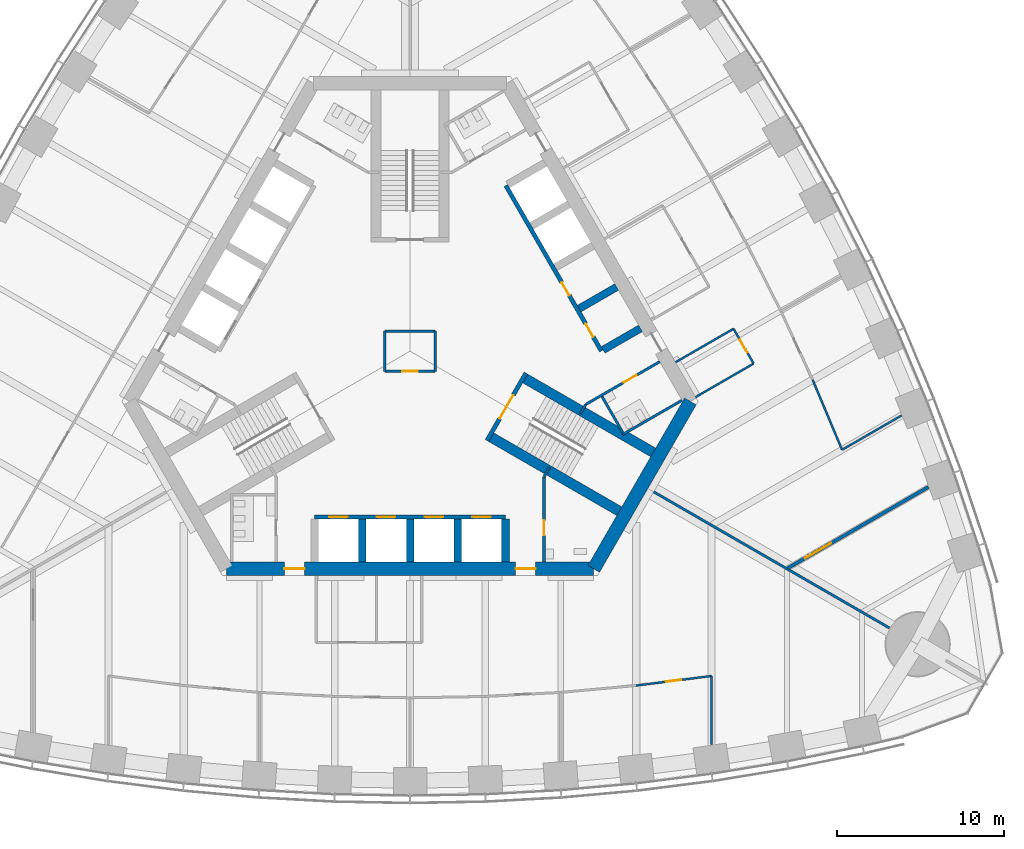
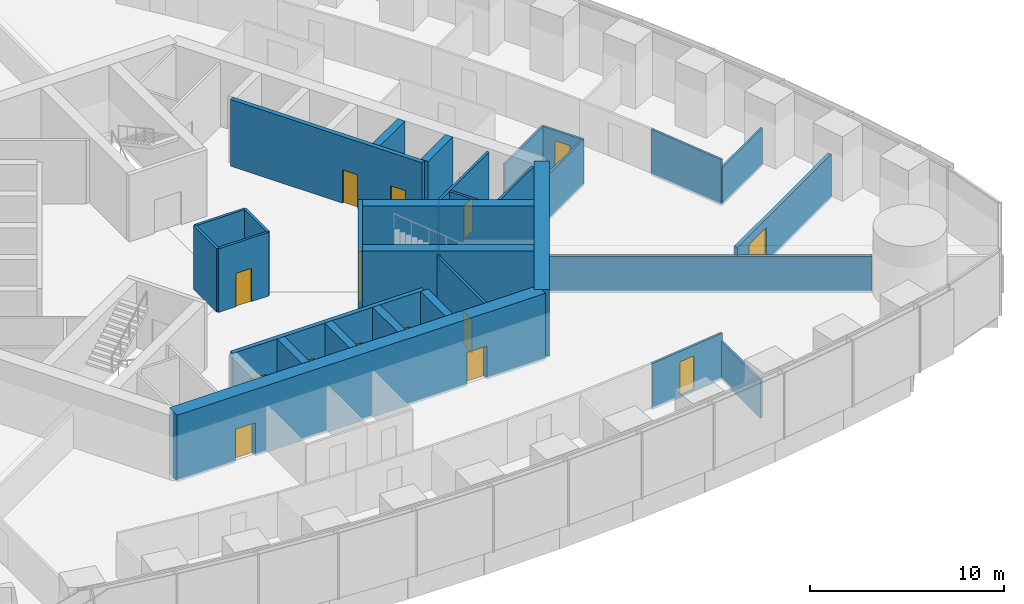
# One storey, part 11 of 18: 32 walls, 15 doors, 15 openings.
"""IFC4 building model written with IfcOpenShell, lengths in metres."""

from ifc_helpers import new_model, si_unit, direction, frame, frame_2d, origin, place, context, subcontext, project, spatial, rectangle, extrude, material, layer, layer_set, type_object, element, fill, save


model = new_model("IFC4")

# Units and contexts
model_context = context("Model", 3, precision=1e-05, world=origin(), true_north=direction((0.0, 1.0)))
body_context = subcontext(model_context, "Body", "Model", "MODEL_VIEW")
ifc_project = project(units=[si_unit("LENGTHUNIT", "METRE"), si_unit("AREAUNIT", "SQUARE_METRE"), si_unit("VOLUMEUNIT", "CUBIC_METRE"), si_unit("PLANEANGLEUNIT", "RADIAN"), si_unit("MASSUNIT", "GRAM", prefix="KILO")], contexts=[model_context])

# Site, building, storey
site_placement = place(None, origin())
site = spatial("IfcSite", under=ifc_project, at=site_placement, CompositionType="ELEMENT")
building_placement = place(site_placement, origin())
building = spatial("IfcBuilding", under=site, at=building_placement, Name="Trefoil Bronze Tower", CompositionType="ELEMENT")
storey_placement = place(building_placement, frame((0.0, 0.0, 170.300048828125)))
storey = spatial("IfcBuildingStorey", under=building, at=storey_placement, Name="L39", CompositionType="ELEMENT", Elevation=170.300048828125)

# Wall, opening, door
ifc_material_1 = material(Name="Gypsum board on steel studs", Category="steel")
ifc_layer_1 = layer(ifc_material_1, 0.199951171875)
ifc_layer_set_1 = layer_set([ifc_layer_1], Name="Acoustic partition 200")
wall_type_1 = type_object("IfcWallType", Name="Acoustic partition 200", PredefinedType="PARTITIONING", material=ifc_layer_set_1)
wall_1_placement = place(storey_placement, frame((22.552978515625, -12.959716796875, 0.0), z_axis=(0.0, 0.0, 1.0), x_axis=(0.866028367999, 0.499994865794, 0.0)))
wall_1 = element("IfcWall", 1, at=wall_1_placement, inside=storey, type_object=wall_type_1, Name="Partition F2 L39", PredefinedType="PARTITIONING", context=body_context, shape_type="SweptSolid", body=[
    extrude(rectangle(XDim=9.697265625, YDim=0.199951171875, at=frame_2d((4.8486328125, 0.0))), origin(), (0.0, 0.0, 1.0), 2.800048828125),
])
opening_1_placement = place(wall_1_placement, frame((1.199951171875, 0.0, 0.14990234375)))
opening_1 = element("IfcOpeningElement", 2, at=opening_1_placement, cuts=wall_1, Name="Opening D10", PredefinedType="OPENING", context=body_context, shape_type="SweptSolid", body=[
    extrude(rectangle(XDim=1.800048828125, YDim=2.10009765625, at=frame_2d((0.89990234375, 1.050048828125))), frame((0.0, 0.10986328125, 0.0), z_axis=(0.0, -1.0, 0.0), x_axis=(1.0, 0.0, 0.0)), (0.0, 0.0, 1.0), 0.219970703125),
])
ifc_material_2 = material(Name="Timber door", Category="wood")
door_type_1 = type_object("IfcDoorType", Name="Double door 1800", OperationType="DOUBLE_DOOR_SINGLE_SWING", PredefinedType="DOOR", material=ifc_material_2)
door_1_placement = place(opening_1_placement, frame((1.800048828125, 0.0, 0.0), z_axis=(0.0, 0.0, 1.0), x_axis=(-1.0, 0.0, 0.0)))
door_1 = element("IfcDoor", 3, at=door_1_placement, inside=storey, type_object=door_type_1, Name="Boardroom door F2 L39", OperationType="DOUBLE_DOOR_SINGLE_SWING", OverallHeight=2.10009765625, OverallWidth=1.800048828125, PredefinedType="DOOR", context=body_context, shape_type="SweptSolid", body=[
    extrude(rectangle(XDim=1.800048828125, YDim=2.10009765625, at=frame_2d((0.89990234375, 1.050048828125))), frame((0.0, 0.02490234375, 0.0), z_axis=(0.0, -1.0, 0.0), x_axis=(1.0, 0.0, 0.0)), (0.0, 0.0, 1.0), 0.050048828125),
])
fill(opening_1, door_1)

# Wall, openings, doors
ifc_material_3 = material(Name="Concrete B80", Category="concrete")
ifc_layer_2 = layer(ifc_material_3, 0.800048828125)
ifc_layer_set_2 = layer_set([ifc_layer_2], Name="Core wall 800")
wall_type_2 = type_object("IfcWallType", Name="Core wall 800", PredefinedType="SHEAR", material=ifc_layer_set_2)
wall_2_placement = place(storey_placement, frame((-10.9697265625, -13.0, 0.0), z_axis=(0.0, 0.0, 1.0), x_axis=(1.0, 0.0, 0.0)))
wall_2 = element("IfcWall", 4, at=wall_2_placement, inside=storey, type_object=wall_type_2, Name="Core long wall 1 L39", PredefinedType="SHEAR", context=body_context, shape_type="SweptSolid", body=[
    extrude(rectangle(XDim=21.939453125, YDim=0.800048828125, at=frame_2d((10.9697265625, 0.0))), origin(), (0.0, 0.0, 1.0), 4.199951171875),
])
opening_2_placement = place(wall_2_placement, frame((17.269775390625, 0.0, 0.0)))
opening_2 = element("IfcOpeningElement", 5, at=opening_2_placement, cuts=wall_2, Name="Opening D2", PredefinedType="OPENING", context=body_context, shape_type="SweptSolid", body=[
    extrude(rectangle(XDim=1.199951171875, YDim=2.10009765625, at=frame_2d((0.60009765625, 1.050048828125))), frame((0.0, 0.409912109375, 0.0), z_axis=(0.0, -1.0, 0.0), x_axis=(1.0, 0.0, 0.0)), (0.0, 0.0, 1.0), 0.820068359375),
])
opening_3_placement = place(wall_2_placement, frame((3.4697265625, 0.0, 0.0)))
opening_3 = element("IfcOpeningElement", 6, at=opening_3_placement, cuts=wall_2, Name="Opening D2", PredefinedType="OPENING", context=body_context, shape_type="SweptSolid", body=[
    extrude(rectangle(XDim=1.199951171875, YDim=2.10009765625, at=frame_2d((0.60009765625, 1.050048828125))), frame((0.0, 0.409912109375, 0.0), z_axis=(0.0, -1.0, 0.0), x_axis=(1.0, 0.0, 0.0)), (0.0, 0.0, 1.0), 0.820068359375),
])
ifc_material_4 = material(Name="Steel door", Category="steel")
door_type_2 = type_object("IfcDoorType", Name="Lobby door 1200", OperationType="SINGLE_SWING_RIGHT", PredefinedType="DOOR", material=ifc_material_4)
door_2_placement = place(opening_2_placement, origin())
door_2 = element("IfcDoor", 7, at=door_2_placement, inside=storey, type_object=door_type_2, Name="Lobby door F1+ L39", OperationType="SINGLE_SWING_RIGHT", OverallHeight=2.10009765625, OverallWidth=1.199951171875, PredefinedType="DOOR", context=body_context, shape_type="SweptSolid", body=[
    extrude(rectangle(XDim=1.199951171875, YDim=2.10009765625, at=frame_2d((0.60009765625, 1.050048828125))), frame((0.0, 0.02490234375, 0.0), z_axis=(0.0, -1.0, 0.0), x_axis=(1.0, 0.0, 0.0)), (0.0, 0.0, 1.0), 0.050048828125),
])
fill(opening_2, door_2)
door_3_placement = place(opening_3_placement, origin())
door_3 = element("IfcDoor", 8, at=door_3_placement, inside=storey, type_object=door_type_2, Name="Lobby door F1- L39", OperationType="SINGLE_SWING_LEFT", OverallHeight=2.10009765625, OverallWidth=1.199951171875, PredefinedType="DOOR", context=body_context, shape_type="SweptSolid", body=[
    extrude(rectangle(XDim=1.199951171875, YDim=2.10009765625, at=frame_2d((0.60009765625, 1.050048828125))), frame((0.0, 0.02490234375, 0.0), z_axis=(0.0, -1.0, 0.0), x_axis=(1.0, 0.0, 0.0)), (0.0, 0.0, 1.0), 0.050048828125),
])
fill(opening_3, door_3)

# Wall
wall_3_placement = place(storey_placement, frame((10.9697265625, -13.0, 0.0), z_axis=(0.0, 0.0, 1.0), x_axis=(0.499995765644, 0.866027848477, 0.0)))
element("IfcWall", 9, at=wall_3_placement, inside=storey, type_object=wall_type_2, Name="Core short wall 1 L39", PredefinedType="SHEAR", context=body_context, shape_type="SweptSolid", body=[
    extrude(rectangle(XDim=11.546875, YDim=0.800048828125, at=frame_2d((5.7734375, 0.0))), origin(), (0.0, 0.0, 1.0), 4.199951171875),
])

# Wall, opening, door
ifc_material_5 = material(Name="Glazed partition", Category="glass")
ifc_layer_3 = layer(ifc_material_5, 0.1201171875)
ifc_layer_set_3 = layer_set([ifc_layer_3], Name="Glazed partition 120")
wall_type_3 = type_object("IfcWallType", Name="Glazed partition 120", PredefinedType="PARTITIONING", material=ifc_layer_set_3)
wall_4_placement = place(storey_placement, frame((13.5, -19.9677734375, 0.0), z_axis=(0.0, 0.0, 1.0), x_axis=(0.992010652594, 0.12615413247, 0.0)))
wall_4 = element("IfcWall", 10, at=wall_4_placement, inside=storey, type_object=wall_type_3, Name="Partition F1 L39", PredefinedType="PARTITIONING", context=body_context, shape_type="SweptSolid", body=[
    extrude(rectangle(XDim=4.5361328125, YDim=0.1201171875, at=frame_2d((2.26806640625, 0.0))), origin(), (0.0, 0.0, 1.0), 2.89990234375),
])
opening_4_placement = place(wall_4_placement, frame((1.800048828125, 0.0, 0.14990234375)))
opening_4 = element("IfcOpeningElement", 11, at=opening_4_placement, cuts=wall_4, Name="Opening D8", PredefinedType="OPENING", context=body_context, shape_type="SweptSolid", body=[
    extrude(rectangle(XDim=0.89990234375, YDim=2.10009765625, at=frame_2d((0.449951171875, 1.050048828125))), frame((0.0, 0.070068359375, 0.0), z_axis=(0.0, -1.0, 0.0), x_axis=(1.0, 0.0, 0.0)), (0.0, 0.0, 1.0), 0.14013671875),
])
ifc_material_6 = material(Name="Timber door", Category="wood")
door_type_3 = type_object("IfcDoorType", Name="Office door 900", OperationType="SINGLE_SWING_LEFT", PredefinedType="DOOR", material=ifc_material_6)
door_4_placement = place(opening_4_placement, frame((0.89990234375, 0.0, 0.0), z_axis=(0.0, 0.0, 1.0), x_axis=(-1.0, 0.0, 0.0)))
door_4 = element("IfcDoor", 12, at=door_4_placement, inside=storey, type_object=door_type_3, Name="Executive office door F1 L39", OperationType="SINGLE_SWING_RIGHT", OverallHeight=2.10009765625, OverallWidth=0.89990234375, PredefinedType="DOOR", context=body_context, shape_type="SweptSolid", body=[
    extrude(rectangle(XDim=0.89990234375, YDim=2.10009765625, at=frame_2d((0.449951171875, 1.050048828125))), frame((0.0, 0.02490234375, 0.0), z_axis=(0.0, -1.0, 0.0), x_axis=(1.0, 0.0, 0.0)), (0.0, 0.0, 1.0), 0.050048828125),
])
fill(opening_4, door_4)

# Wall
wall_5_placement = place(storey_placement, frame((18.0, -19.3955078125, 0.0), z_axis=(0.0, 0.0, 1.0), x_axis=(0.0, -1.0, 0.0)))
element("IfcWall", 13, at=wall_5_placement, inside=storey, type_object=wall_type_3, Name="Partition F1 L39", PredefinedType="PARTITIONING", context=body_context, shape_type="SweptSolid", body=[
    extrude(rectangle(XDim=4.10302734375, YDim=0.1201171875, at=frame_2d((2.051513671875, 0.0))), origin(), (0.0, 0.0, 1.0), 2.39990234375),
])

# Wall, opening, door
wall_6_placement = place(storey_placement, frame((20.518798828125, -0.73974609375, 0.0), z_axis=(0.0, 0.0, 1.0), x_axis=(-0.499957262057, 0.866050077142, 0.0)))
wall_6 = element("IfcWall", 14, at=wall_6_placement, inside=storey, type_object=wall_type_3, Name="Partition F2 L39", PredefinedType="PARTITIONING", context=body_context, shape_type="SweptSolid", body=[
    extrude(rectangle(XDim=2.400146484375, YDim=0.1201171875, at=frame_2d((1.2001953125, 0.0))), origin(), (0.0, 0.0, 1.0), 2.89990234375),
])
opening_5_placement = place(wall_6_placement, frame((0.75, 0.0, 0.14990234375)))
opening_5 = element("IfcOpeningElement", 15, at=opening_5_placement, cuts=wall_6, Name="Opening D8", PredefinedType="OPENING", context=body_context, shape_type="SweptSolid", body=[
    extrude(rectangle(XDim=0.89990234375, YDim=2.10009765625, at=frame_2d((0.449951171875, 1.050048828125))), frame((0.0, 0.070068359375, 0.0), z_axis=(0.0, -1.0, 0.0), x_axis=(1.0, 0.0, 0.0)), (0.0, 0.0, 1.0), 0.14013671875),
])
door_5_placement = place(opening_5_placement, origin())
door_5 = element("IfcDoor", 16, at=door_5_placement, inside=storey, type_object=door_type_3, Name="Comms room door F2 L39", OperationType="SINGLE_SWING_RIGHT", OverallHeight=2.10009765625, OverallWidth=0.89990234375, PredefinedType="DOOR", context=body_context, shape_type="SweptSolid", body=[
    extrude(rectangle(XDim=0.89990234375, YDim=2.10009765625, at=frame_2d((0.449951171875, 1.050048828125))), frame((0.0, 0.02490234375, 0.0), z_axis=(0.0, -1.0, 0.0), x_axis=(1.0, 0.0, 0.0)), (0.0, 0.0, 1.0), 0.050048828125),
])
fill(opening_5, door_5)

# Walls
for number, where, z_axis, x_axis, name in (
    (17, (17.0546875, -2.73974609375, 0.0), (0.0, 0.0, 1.0), (0.866026010844, 0.49999894854, 0.0), "Partition F2 L39"),
    (18, (15.854736328125, -0.6611328125, 0.0), (0.0, 0.0, 1.0), (0.866026010844, 0.49999894854, 0.0), "Partition F2 L39"),
):
    element("IfcWall", number, at=place(storey_placement, frame(where, z_axis=z_axis, x_axis=x_axis)), inside=storey, type_object=wall_type_3, Name=name, PredefinedType="PARTITIONING", context=body_context, shape_type="SweptSolid", body=[
        extrude(rectangle(XDim=4.0, YDim=0.1201171875, at=frame_2d((2.0, 0.0))), origin(), (0.0, 0.0, 1.0), 2.89990234375),
    ])
wall_7_placement = place(storey_placement, frame((25.797119140625, -5.890625, 0.0), z_axis=(0.0, 0.0, 1.0), x_axis=(-0.386762112496, 0.922179520667, 0.0)))
element("IfcWall", 19, at=wall_7_placement, inside=storey, type_object=wall_type_3, Name="Partition F2 L39", PredefinedType="PARTITIONING", context=body_context, shape_type="SweptSolid", body=[
    extrude(rectangle(XDim=4.5361328125, YDim=0.1201171875, at=frame_2d((2.26806640625, 0.0))), origin(), (0.0, 0.0, 1.0), 2.89990234375),
])
wall_8_placement = place(storey_placement, frame((25.797119140625, -5.890625, 0.0), z_axis=(0.0, 0.0, 1.0), x_axis=(0.866019112135, 0.500010897298, 0.0)))
element("IfcWall", 20, at=wall_8_placement, inside=storey, type_object=wall_type_3, Name="Partition F2 L39", PredefinedType="PARTITIONING", context=body_context, shape_type="SweptSolid", body=[
    extrude(rectangle(XDim=4.10302734375, YDim=0.1201171875, at=frame_2d((2.051513671875, 0.0))), origin(), (0.0, 0.0, 1.0), 2.39990234375),
])
ifc_material_7 = material(Name="Concrete B80", Category="concrete")
ifc_layer_4 = layer(ifc_material_7, 0.449951171875)
ifc_layer_set_4 = layer_set([ifc_layer_4], Name="Outrigger shaft wall 450")
wall_type_4 = type_object("IfcWallType", Name="Outrigger shaft wall 450", PredefinedType="SHEAR", material=ifc_layer_set_4)
for number, where, z_axis, x_axis, name in (
    (21, (-2.85009765625, -10.02490234375, 0.0), (0.0, 0.0, 1.0), (0.0, -1.0, 0.0), "Lift shaft side wall A1 L39"),
    (22, (0.0, -10.02490234375, 0.0), (0.0, 0.0, 1.0), (0.0, -1.0, 0.0), "Lift shaft side wall A2 L39"),
    (23, (2.85009765625, -10.02490234375, 0.0), (0.0, 0.0, 1.0), (0.0, -1.0, 0.0), "Lift shaft side wall A3 L39"),
    (24, (5.699951171875, -10.02490234375, 0.0), (0.0, 0.0, 1.0), (0.0, -1.0, 0.0), "Lift shaft side wall A4 L39"),
):
    element("IfcWall", number, at=place(storey_placement, frame(where, z_axis=z_axis, x_axis=x_axis)), inside=storey, type_object=wall_type_4, Name=name, PredefinedType="SHEAR", context=body_context, shape_type="SweptSolid", body=[
        extrude(rectangle(XDim=2.5751953125, YDim=0.449951171875, at=frame_2d((1.28759765625, 0.0))), origin(), (0.0, 0.0, 1.0), 4.199951171875),
    ])
for number, where, z_axis, x_axis, name in (
    (25, (11.531982421875, 0.076171875, 0.0), (0.0, 0.0, 1.0), (0.866005588531, 0.500034319456, 0.0), "Lift shaft side wall B0 L39"),
    (26, (10.10693359375, 2.54443359375, 0.0), (0.0, 0.0, 1.0), (0.866046643894, 0.499963209246, 0.0), "Lift shaft side wall B1 L39"),
):
    element("IfcWall", number, at=place(storey_placement, frame(where, z_axis=z_axis, x_axis=x_axis)), inside=storey, type_object=wall_type_4, Name=name, PredefinedType="SHEAR", context=body_context, shape_type="SweptSolid", body=[
        extrude(rectangle(XDim=2.574951171875, YDim=0.449951171875, at=frame_2d((1.28759765625, 0.0))), origin(), (0.0, 0.0, 1.0), 4.199951171875),
    ])

# Wall, opening, door
ifc_material_8 = material(Name="Gypsum board on steel studs", Category="steel")
ifc_layer_5 = layer(ifc_material_8, 0.14990234375)
ifc_layer_set_5 = layer_set([ifc_layer_5], Name="Partition 150")
wall_type_5 = type_object("IfcWallType", Name="Partition 150", PredefinedType="PARTITIONING", material=ifc_layer_set_5)
wall_9_placement = place(storey_placement, frame((8.0, -7.5, 0.0), z_axis=(0.0, 0.0, 1.0), x_axis=(0.0, -1.0, 0.0)))
wall_9 = element("IfcWall", 27, at=wall_9_placement, inside=storey, type_object=wall_type_5, Name="Passage wall F1+ L39", PredefinedType="PARTITIONING", context=body_context, shape_type="SweptSolid", body=[
    extrude(rectangle(XDim=5.10009765625, YDim=0.14990234375, at=frame_2d((2.550048828125, 0.0))), origin(), (0.0, 0.0, 1.0), 4.0),
])
opening_6_placement = place(wall_9_placement, frame((2.60009765625, 0.0, 0.0)))
opening_6 = element("IfcOpeningElement", 28, at=opening_6_placement, cuts=wall_9, Name="Opening D3", PredefinedType="OPENING", context=body_context, shape_type="SweptSolid", body=[
    extrude(rectangle(XDim=0.89990234375, YDim=2.10009765625, at=frame_2d((0.449951171875, 1.050048828125))), frame((0.0, 0.0849609375, 0.0), z_axis=(0.0, -1.0, 0.0), x_axis=(1.0, 0.0, 0.0)), (0.0, 0.0, 1.0), 0.169921875),
])
ifc_material_9 = material(Name="Timber door", Category="wood")
door_type_4 = type_object("IfcDoorType", Name="WC door 900", OperationType="SINGLE_SWING_LEFT", PredefinedType="DOOR", material=ifc_material_9)
door_6_placement = place(opening_6_placement, origin())
door_6 = element("IfcDoor", 29, at=door_6_placement, inside=storey, type_object=door_type_4, Name="Accessible WC door L39", OperationType="SINGLE_SWING_RIGHT", OverallHeight=2.10009765625, OverallWidth=0.89990234375, PredefinedType="DOOR", context=body_context, shape_type="SweptSolid", body=[
    extrude(rectangle(XDim=0.89990234375, YDim=2.10009765625, at=frame_2d((0.449951171875, 1.050048828125))), frame((0.0, 0.02490234375, 0.0), z_axis=(0.0, -1.0, 0.0), x_axis=(1.0, 0.0, 0.0)), (0.0, 0.0, 1.0), 0.050048828125),
])
fill(opening_6, door_6)

wall_10_placement = place(storey_placement, frame((10.4951171875, -3.17822265625, 0.0), z_axis=(0.0, 0.0, 1.0), x_axis=(0.86602216432, 0.500005610874, 0.0)))
wall_10 = element("IfcWall", 30, at=wall_10_placement, inside=storey, type_object=wall_type_5, Name="Passage wall F2- L39", PredefinedType="PARTITIONING", context=body_context, shape_type="SweptSolid", body=[
    extrude(rectangle(XDim=5.10009765625, YDim=0.14990234375, at=frame_2d((2.550048828125, 0.0))), origin(), (0.0, 0.0, 1.0), 4.0),
])
opening_7_placement = place(wall_10_placement, frame((2.60009765625, 0.0, 0.0)))
opening_7 = element("IfcOpeningElement", 31, at=opening_7_placement, cuts=wall_10, Name="Opening D3", PredefinedType="OPENING", context=body_context, shape_type="SweptSolid", body=[
    extrude(rectangle(XDim=0.89990234375, YDim=2.10009765625, at=frame_2d((0.449951171875, 1.050048828125))), frame((0.0, 0.0849609375, 0.0), z_axis=(0.0, -1.0, 0.0), x_axis=(1.0, 0.0, 0.0)), (0.0, 0.0, 1.0), 0.169921875),
])
door_7_placement = place(opening_7_placement, frame((0.89990234375, 0.0, 0.0), z_axis=(0.0, 0.0, 1.0), x_axis=(-1.0, 0.0, 0.0)))
door_7 = element("IfcDoor", 32, at=door_7_placement, inside=storey, type_object=door_type_4, Name="WC (women) door L39", OperationType="SINGLE_SWING_RIGHT", OverallHeight=2.10009765625, OverallWidth=0.89990234375, PredefinedType="DOOR", context=body_context, shape_type="SweptSolid", body=[
    extrude(rectangle(XDim=0.89990234375, YDim=2.10009765625, at=frame_2d((0.449951171875, 1.050048828125))), frame((0.0, 0.02490234375, 0.0), z_axis=(0.0, -1.0, 0.0), x_axis=(1.0, 0.0, 0.0)), (0.0, 0.0, 1.0), 0.050048828125),
])
fill(opening_7, door_7)

# Walls
for number, where, z_axis, x_axis, name in (
    (33, (8.0, -7.5, 0.0), (0.0, 0.0, 1.0), (0.499842556608, 0.866116284689, 0.0), "WC wall ST1-1 L39"),
    (34, (10.4951171875, -3.17822265625, 0.0), (0.0, 0.0, 1.0), (-0.499842556608, -0.866116284689, 0.0), "WC wall ST1+1 L39"),
):
    element("IfcWall", number, at=place(storey_placement, frame(where, z_axis=z_axis, x_axis=x_axis)), inside=storey, type_object=wall_type_5, Name=name, PredefinedType="PARTITIONING", context=body_context, shape_type="SweptSolid", body=[
        extrude(rectangle(XDim=0.645263671875, YDim=0.14990234375, at=frame_2d((0.32275390625, 0.0))), origin(), (0.0, 0.0, 1.0), 4.0),
    ])
wall_11_placement = place(storey_placement, frame((12.691162109375, -4.98193359375, 0.0), z_axis=(0.0, 0.0, 1.0), x_axis=(0.8660249478, 0.500000789788, 0.0)))
element("IfcWall", 35, at=wall_11_placement, inside=storey, type_object=wall_type_5, Name="WC partition WC (women) L39", PredefinedType="PARTITIONING", context=body_context, shape_type="SweptSolid", body=[
    extrude(rectangle(XDim=4.10009765625, YDim=0.14990234375, at=frame_2d((2.050048828125, 0.0))), origin(), (0.0, 0.0, 1.0), 4.0),
])
wall_12_placement = place(storey_placement, frame((11.463623046875, -2.70556640625, 0.0), z_axis=(0.0, 0.0, 1.0), x_axis=(0.50001992892, -0.866013897511, 0.0)))
element("IfcWall", 36, at=wall_12_placement, inside=storey, type_object=wall_type_5, Name="WC partition WC (women) L39", PredefinedType="PARTITIONING", context=body_context, shape_type="SweptSolid", body=[
    extrude(rectangle(XDim=2.51025390625, YDim=0.14990234375, at=frame_2d((1.255126953125, 0.0))), origin(), (0.0, 0.0, 1.0), 4.0),
])
ifc_material_10 = material(Name="Gypsum board on steel studs", Category="steel")
ifc_layer_6 = layer(ifc_material_10, 0.14990234375)
ifc_layer_set_6 = layer_set([ifc_layer_6], Name="Party wall 150")
wall_type_6 = type_object("IfcWallType", Name="Party wall 150", PredefinedType="PARTITIONING", material=ifc_layer_set_6)
wall_13_placement = place(storey_placement, frame((14.202880859375, -8.199951171875, 0.0), z_axis=(0.0, 0.0, 1.0), x_axis=(0.866024668836, -0.500001272966, 0.0)))
element("IfcWall", 37, at=wall_13_placement, inside=storey, type_object=wall_type_6, Name="Party wall K1 L39", PredefinedType="PARTITIONING", context=body_context, shape_type="SweptSolid", body=[
    extrude(rectangle(XDim=16.64990234375, YDim=0.14990234375, at=frame_2d((8.324951171875, 0.0))), origin(), (0.0, 0.0, 1.0), 2.300048828125),
])

# Wall, opening, door
ifc_material_11 = material(Name="Gypsum board on steel studs", Category="steel")
ifc_layer_7 = layer(ifc_material_11, 0.14990234375)
ifc_layer_set_7 = layer_set([ifc_layer_7], Name="Riser wall 150")
wall_type_7 = type_object("IfcWallType", Name="Riser wall 150", PredefinedType="PARTITIONING", material=ifc_layer_set_7)
wall_14_placement = place(storey_placement, frame((-1.5, -1.199951171875, 0.0), z_axis=(0.0, 0.0, 1.0), x_axis=(1.0, 0.0, 0.0)))
wall_14 = element("IfcWall", 38, at=wall_14_placement, inside=storey, type_object=wall_type_7, Name="Riser wall L39", PredefinedType="PARTITIONING", context=body_context, shape_type="SweptSolid", body=[
    extrude(rectangle(XDim=3.0, YDim=0.14990234375, at=frame_2d((1.5, 0.0))), origin(), (0.0, 0.0, 1.0), 4.0),
])
opening_8_placement = place(wall_14_placement, frame((1.050048828125, 0.0, 0.0)))
opening_8 = element("IfcOpeningElement", 39, at=opening_8_placement, cuts=wall_14, Name="Opening D4", PredefinedType="OPENING", context=body_context, shape_type="SweptSolid", body=[
    extrude(rectangle(XDim=0.89990234375, YDim=2.10009765625, at=frame_2d((0.449951171875, 1.050048828125))), frame((0.0, 0.0849609375, 0.0), z_axis=(0.0, -1.0, 0.0), x_axis=(1.0, 0.0, 0.0)), (0.0, 0.0, 1.0), 0.169921875),
])
ifc_material_12 = material(Name="Steel door", Category="steel")
door_type_5 = type_object("IfcDoorType", Name="Riser door 900", OperationType="SINGLE_SWING_LEFT", PredefinedType="DOOR", material=ifc_material_12)
door_8_placement = place(opening_8_placement, frame((0.89990234375, 0.0, 0.0), z_axis=(0.0, 0.0, 1.0), x_axis=(-1.0, 0.0, 0.0)))
door_8 = element("IfcDoor", 40, at=door_8_placement, inside=storey, type_object=door_type_5, Name="Riser door L39", OperationType="SINGLE_SWING_LEFT", OverallHeight=2.10009765625, OverallWidth=0.89990234375, PredefinedType="DOOR", context=body_context, shape_type="SweptSolid", body=[
    extrude(rectangle(XDim=0.89990234375, YDim=2.10009765625, at=frame_2d((0.449951171875, 1.050048828125))), frame((0.0, 0.02490234375, 0.0), z_axis=(0.0, -1.0, 0.0), x_axis=(1.0, 0.0, 0.0)), (0.0, 0.0, 1.0), 0.050048828125),
])
fill(opening_8, door_8)

# Walls
wall_15_placement = place(storey_placement, frame((1.5, -1.199951171875, 0.0), z_axis=(0.0, 0.0, 1.0), x_axis=(0.0, 1.0, 0.0)))
element("IfcWall", 41, at=wall_15_placement, inside=storey, type_object=wall_type_7, Name="Riser wall L39", PredefinedType="PARTITIONING", context=body_context, shape_type="SweptSolid", body=[
    extrude(rectangle(XDim=2.39990234375, YDim=0.14990234375, at=frame_2d((1.199951171875, 0.0))), origin(), (0.0, 0.0, 1.0), 4.0),
])
wall_16_placement = place(storey_placement, frame((1.5, 1.199951171875, 0.0), z_axis=(0.0, 0.0, 1.0), x_axis=(-1.0, 0.0, 0.0)))
element("IfcWall", 42, at=wall_16_placement, inside=storey, type_object=wall_type_7, Name="Riser wall L39", PredefinedType="PARTITIONING", context=body_context, shape_type="SweptSolid", body=[
    extrude(rectangle(XDim=3.0, YDim=0.14990234375, at=frame_2d((1.5, 0.0))), origin(), (0.0, 0.0, 1.0), 4.0),
])
wall_17_placement = place(storey_placement, frame((-1.5, 1.199951171875, 0.0), z_axis=(0.0, 0.0, 1.0), x_axis=(0.0, -1.0, 0.0)))
element("IfcWall", 43, at=wall_17_placement, inside=storey, type_object=wall_type_7, Name="Riser wall L39", PredefinedType="PARTITIONING", context=body_context, shape_type="SweptSolid", body=[
    extrude(rectangle(XDim=2.39990234375, YDim=0.14990234375, at=frame_2d((1.199951171875, 0.0))), origin(), (0.0, 0.0, 1.0), 4.0),
])

# Wall, openings, doors
ifc_material_13 = material(Name="Concrete B80", Category="concrete")
ifc_layer_8 = layer(ifc_material_13, 0.25)
ifc_layer_set_8 = layer_set([ifc_layer_8], Name="Shaft wall 250")
wall_type_8 = type_object("IfcWallType", Name="Shaft wall 250", PredefinedType="SHEAR", material=ifc_layer_set_8)
wall_18_placement = place(storey_placement, frame((-5.699951171875, -9.89990234375, 0.0), z_axis=(0.0, 0.0, 1.0), x_axis=(1.0, 0.0, 0.0)))
wall_18 = element("IfcWall", 44, at=wall_18_placement, inside=storey, type_object=wall_type_8, Name="Lift shaft front wall A L39", PredefinedType="SHEAR", context=body_context, shape_type="SweptSolid", body=[
    extrude(rectangle(XDim=11.39990234375, YDim=0.25, at=frame_2d((5.699951171875, 0.0))), origin(), (0.0, 0.0, 1.0), 4.199951171875),
])
opening_9_placement = place(wall_18_placement, frame((0.875, 0.0, 0.0)))
opening_9 = element("IfcOpeningElement", 45, at=opening_9_placement, cuts=wall_18, Name="Opening LD-P21", PredefinedType="OPENING", context=body_context, shape_type="SweptSolid", body=[
    extrude(rectangle(XDim=1.10009765625, YDim=2.199951171875, at=frame_2d((0.550048828125, 1.10009765625))), frame((0.0, 0.135009765625, 0.0), z_axis=(0.0, -1.0, 0.0), x_axis=(1.0, 0.0, 0.0)), (0.0, 0.0, 1.0), 0.27001953125),
])
opening_10_placement = place(wall_18_placement, frame((3.72509765625, 0.0, 0.0)))
opening_10 = element("IfcOpeningElement", 46, at=opening_10_placement, cuts=wall_18, Name="Opening LD-P22", PredefinedType="OPENING", context=body_context, shape_type="SweptSolid", body=[
    extrude(rectangle(XDim=1.10009765625, YDim=2.199951171875, at=frame_2d((0.550048828125, 1.10009765625))), frame((0.0, 0.135009765625, 0.0), z_axis=(0.0, -1.0, 0.0), x_axis=(1.0, 0.0, 0.0)), (0.0, 0.0, 1.0), 0.27001953125),
])
opening_11_placement = place(wall_18_placement, frame((6.574951171875, 0.0, 0.0)))
opening_11 = element("IfcOpeningElement", 47, at=opening_11_placement, cuts=wall_18, Name="Opening LD-P23", PredefinedType="OPENING", context=body_context, shape_type="SweptSolid", body=[
    extrude(rectangle(XDim=1.10009765625, YDim=2.199951171875, at=frame_2d((0.550048828125, 1.10009765625))), frame((0.0, 0.135009765625, 0.0), z_axis=(0.0, -1.0, 0.0), x_axis=(1.0, 0.0, 0.0)), (0.0, 0.0, 1.0), 0.27001953125),
])
opening_12_placement = place(wall_18_placement, frame((9.425048828125, 0.0, 0.0)))
opening_12 = element("IfcOpeningElement", 48, at=opening_12_placement, cuts=wall_18, Name="Opening LD-P24", PredefinedType="OPENING", context=body_context, shape_type="SweptSolid", body=[
    extrude(rectangle(XDim=1.10009765625, YDim=2.199951171875, at=frame_2d((0.550048828125, 1.10009765625))), frame((0.0, 0.135009765625, 0.0), z_axis=(0.0, -1.0, 0.0), x_axis=(1.0, 0.0, 0.0)), (0.0, 0.0, 1.0), 0.27001953125),
])
ifc_material_14 = material(Name="Steel door", Category="steel")
door_type_6 = type_object("IfcDoorType", Name="Lift landing door 1100", OperationType="DOUBLE_DOOR_SLIDING", PredefinedType="DOOR", material=ifc_material_14)
door_9_placement = place(opening_9_placement, origin())
door_9 = element("IfcDoor", 49, at=door_9_placement, inside=storey, type_object=door_type_6, Name="Lift P21 landing door L39", OperationType="DOUBLE_DOOR_SLIDING", OverallHeight=2.199951171875, OverallWidth=1.10009765625, PredefinedType="DOOR", context=body_context, shape_type="SweptSolid", body=[
    extrude(rectangle(XDim=1.10009765625, YDim=2.199951171875, at=frame_2d((0.550048828125, 1.10009765625))), frame((0.0, 0.02490234375, 0.0), z_axis=(0.0, -1.0, 0.0), x_axis=(1.0, 0.0, 0.0)), (0.0, 0.0, 1.0), 0.050048828125),
])
fill(opening_9, door_9)
door_10_placement = place(opening_10_placement, origin())
door_10 = element("IfcDoor", 50, at=door_10_placement, inside=storey, type_object=door_type_6, Name="Lift P22 landing door L39", OperationType="DOUBLE_DOOR_SLIDING", OverallHeight=2.199951171875, OverallWidth=1.10009765625, PredefinedType="DOOR", context=body_context, shape_type="SweptSolid", body=[
    extrude(rectangle(XDim=1.10009765625, YDim=2.199951171875, at=frame_2d((0.550048828125, 1.10009765625))), frame((0.0, 0.02490234375, 0.0), z_axis=(0.0, -1.0, 0.0), x_axis=(1.0, 0.0, 0.0)), (0.0, 0.0, 1.0), 0.050048828125),
])
fill(opening_10, door_10)
door_11_placement = place(opening_11_placement, origin())
door_11 = element("IfcDoor", 51, at=door_11_placement, inside=storey, type_object=door_type_6, Name="Lift P23 landing door L39", OperationType="DOUBLE_DOOR_SLIDING", OverallHeight=2.199951171875, OverallWidth=1.10009765625, PredefinedType="DOOR", context=body_context, shape_type="SweptSolid", body=[
    extrude(rectangle(XDim=1.10009765625, YDim=2.199951171875, at=frame_2d((0.550048828125, 1.10009765625))), frame((0.0, 0.02490234375, 0.0), z_axis=(0.0, -1.0, 0.0), x_axis=(1.0, 0.0, 0.0)), (0.0, 0.0, 1.0), 0.050048828125),
])
fill(opening_11, door_11)
door_12_placement = place(opening_12_placement, origin())
door_12 = element("IfcDoor", 52, at=door_12_placement, inside=storey, type_object=door_type_6, Name="Lift P24 landing door L39", OperationType="DOUBLE_DOOR_SLIDING", OverallHeight=2.199951171875, OverallWidth=1.10009765625, PredefinedType="DOOR", context=body_context, shape_type="SweptSolid", body=[
    extrude(rectangle(XDim=1.10009765625, YDim=2.199951171875, at=frame_2d((0.550048828125, 1.10009765625))), frame((0.0, 0.02490234375, 0.0), z_axis=(0.0, -1.0, 0.0), x_axis=(1.0, 0.0, 0.0)), (0.0, 0.0, 1.0), 0.050048828125),
])
fill(opening_12, door_12)

wall_19_placement = place(storey_placement, frame((11.423583984375, 0.013671875, 0.0), z_axis=(0.0, 0.0, 1.0), x_axis=(-0.500001763848, 0.866024385424, 0.0)))
wall_19 = element("IfcWall", 53, at=wall_19_placement, inside=storey, type_object=wall_type_8, Name="Lift shaft front wall B L39", PredefinedType="SHEAR", context=body_context, shape_type="SweptSolid", body=[
    extrude(rectangle(XDim=11.39990234375, YDim=0.25, at=frame_2d((5.699951171875, 0.0))), origin(), (0.0, 0.0, 1.0), 4.199951171875),
])
opening_13_placement = place(wall_19_placement, frame((0.97509765625, 0.0, 0.0)))
opening_13 = element("IfcOpeningElement", 54, at=opening_13_placement, cuts=wall_19, Name="Opening D12", PredefinedType="OPENING", context=body_context, shape_type="SweptSolid", body=[
    extrude(rectangle(XDim=0.89990234375, YDim=2.10009765625, at=frame_2d((0.449951171875, 1.050048828125))), frame((0.0, 0.135009765625, 0.0), z_axis=(0.0, -1.0, 0.0), x_axis=(1.0, 0.0, 0.0)), (0.0, 0.0, 1.0), 0.27001953125),
])
opening_14_placement = place(wall_19_placement, frame((3.824951171875, 0.0, 0.0)))
opening_14 = element("IfcOpeningElement", 55, at=opening_14_placement, cuts=wall_19, Name="Opening D12", PredefinedType="OPENING", context=body_context, shape_type="SweptSolid", body=[
    extrude(rectangle(XDim=0.89990234375, YDim=2.10009765625, at=frame_2d((0.449951171875, 1.050048828125))), frame((0.0, 0.135009765625, 0.0), z_axis=(0.0, -1.0, 0.0), x_axis=(1.0, 0.0, 0.0)), (0.0, 0.0, 1.0), 0.27001953125),
])
ifc_material_15 = material(Name="Steel door", Category="steel")
door_type_7 = type_object("IfcDoorType", Name="Shaft room door 900", OperationType="SINGLE_SWING_LEFT", PredefinedType="DOOR", material=ifc_material_15)
door_13_placement = place(opening_13_placement, frame((0.89990234375, 0.0, 0.0), z_axis=(0.0, 0.0, 1.0), x_axis=(-1.0, 0.0, 0.0)))
door_13 = element("IfcDoor", 56, at=door_13_placement, inside=storey, type_object=door_type_7, Name="Shaft room door B1 L39", OperationType="SINGLE_SWING_LEFT", OverallHeight=2.10009765625, OverallWidth=0.89990234375, PredefinedType="DOOR", context=body_context, shape_type="SweptSolid", body=[
    extrude(rectangle(XDim=0.89990234375, YDim=2.10009765625, at=frame_2d((0.449951171875, 1.050048828125))), frame((0.0, 0.02490234375, 0.0), z_axis=(0.0, -1.0, 0.0), x_axis=(1.0, 0.0, 0.0)), (0.0, 0.0, 1.0), 0.050048828125),
])
fill(opening_13, door_13)
door_14_placement = place(opening_14_placement, frame((0.89990234375, 0.0, 0.0), z_axis=(0.0, 0.0, 1.0), x_axis=(-1.0, 0.0, 0.0)))
door_14 = element("IfcDoor", 57, at=door_14_placement, inside=storey, type_object=door_type_7, Name="Shaft room door B2 L39", OperationType="SINGLE_SWING_RIGHT", OverallHeight=2.10009765625, OverallWidth=0.89990234375, PredefinedType="DOOR", context=body_context, shape_type="SweptSolid", body=[
    extrude(rectangle(XDim=0.89990234375, YDim=2.10009765625, at=frame_2d((0.449951171875, 1.050048828125))), frame((0.0, 0.02490234375, 0.0), z_axis=(0.0, -1.0, 0.0), x_axis=(1.0, 0.0, 0.0)), (0.0, 0.0, 1.0), 0.050048828125),
])
fill(opening_14, door_14)

# Wall, opening, door
wall_20_placement = place(storey_placement, frame((4.5966796875, -5.338623046875, 0.0), z_axis=(0.0, 0.0, 1.0), x_axis=(0.499984536904, 0.866034331223, 0.0)))
wall_20 = element("IfcWall", 58, at=wall_20_placement, inside=storey, type_object=wall_type_8, Name="Stair end wall ST1 L39", PredefinedType="SHEAR", context=body_context, shape_type="SweptSolid", body=[
    extrude(rectangle(XDim=4.650146484375, YDim=0.25, at=frame_2d((2.3251953125, 0.0))), origin(), (0.0, 0.0, 1.0), 4.199951171875),
])
opening_15_placement = place(wall_20_placement, frame((1.52490234375, 0.0, 0.0)))
opening_15 = element("IfcOpeningElement", 59, at=opening_15_placement, cuts=wall_20, Name="Opening D1", PredefinedType="OPENING", context=body_context, shape_type="SweptSolid", body=[
    extrude(rectangle(XDim=1.60009765625, YDim=2.10009765625, at=frame_2d((0.800048828125, 1.050048828125))), frame((0.0, 0.135009765625, 0.0), z_axis=(0.0, -1.0, 0.0), x_axis=(1.0, 0.0, 0.0)), (0.0, 0.0, 1.0), 0.27001953125),
])
ifc_material_16 = material(Name="Steel door", Category="steel")
door_type_8 = type_object("IfcDoorType", Name="Stair door 1600", OperationType="DOUBLE_DOOR_SINGLE_SWING", PredefinedType="DOOR", material=ifc_material_16)
door_15_placement = place(opening_15_placement, frame((1.60009765625, 0.0, 0.0), z_axis=(0.0, 0.0, 1.0), x_axis=(-1.0, 0.0, 0.0)))
door_15 = element("IfcDoor", 60, at=door_15_placement, inside=storey, type_object=door_type_8, Name="Stair door ST1 L39", OperationType="DOUBLE_DOOR_SINGLE_SWING", OverallHeight=2.10009765625, OverallWidth=1.60009765625, PredefinedType="DOOR", context=body_context, shape_type="SweptSolid", body=[
    extrude(rectangle(XDim=1.60009765625, YDim=2.10009765625, at=frame_2d((0.800048828125, 1.050048828125))), frame((0.0, 0.02490234375, 0.0), z_axis=(0.0, -1.0, 0.0), x_axis=(1.0, 0.0, 0.0)), (0.0, 0.0, 1.0), 0.050048828125),
])
fill(opening_15, door_15)

# Walls
ifc_material_17 = material(Name="Concrete B80", Category="concrete")
ifc_layer_9 = layer(ifc_material_17, 0.60009765625)
ifc_layer_set_9 = layer_set([ifc_layer_9], Name="Stair wall 600")
wall_type_9 = type_object("IfcWallType", Name="Stair wall 600", PredefinedType="SHEAR", material=ifc_layer_set_9)
for number, where, z_axis, x_axis, name in (
    (61, (4.638427734375, -5.01611328125, 0.0), (0.0, 0.0, 1.0), (0.866019375473, -0.500010441196, 0.0), "Stair wall ST1 L39"),
    (62, (6.663330078125, -1.5087890625, 0.0), (0.0, 0.0, 1.0), (0.866019375473, -0.500010441196, 0.0), "Stair wall ST1 L39"),
):
    element("IfcWall", number, at=place(storey_placement, frame(where, z_axis=z_axis, x_axis=x_axis)), inside=storey, type_object=wall_type_9, Name=name, PredefinedType="SHEAR", context=body_context, shape_type="SweptSolid", body=[
        extrude(rectangle(XDim=9.074951171875, YDim=0.60009765625, at=frame_2d((4.53759765625, 0.0))), origin(), (0.0, 0.0, 1.0), 4.199951171875),
    ])

save(model, "model.ifc")
